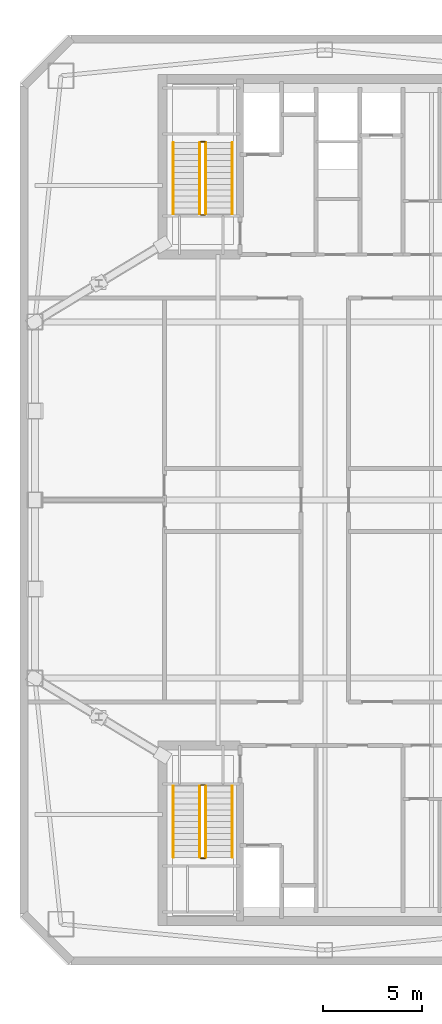
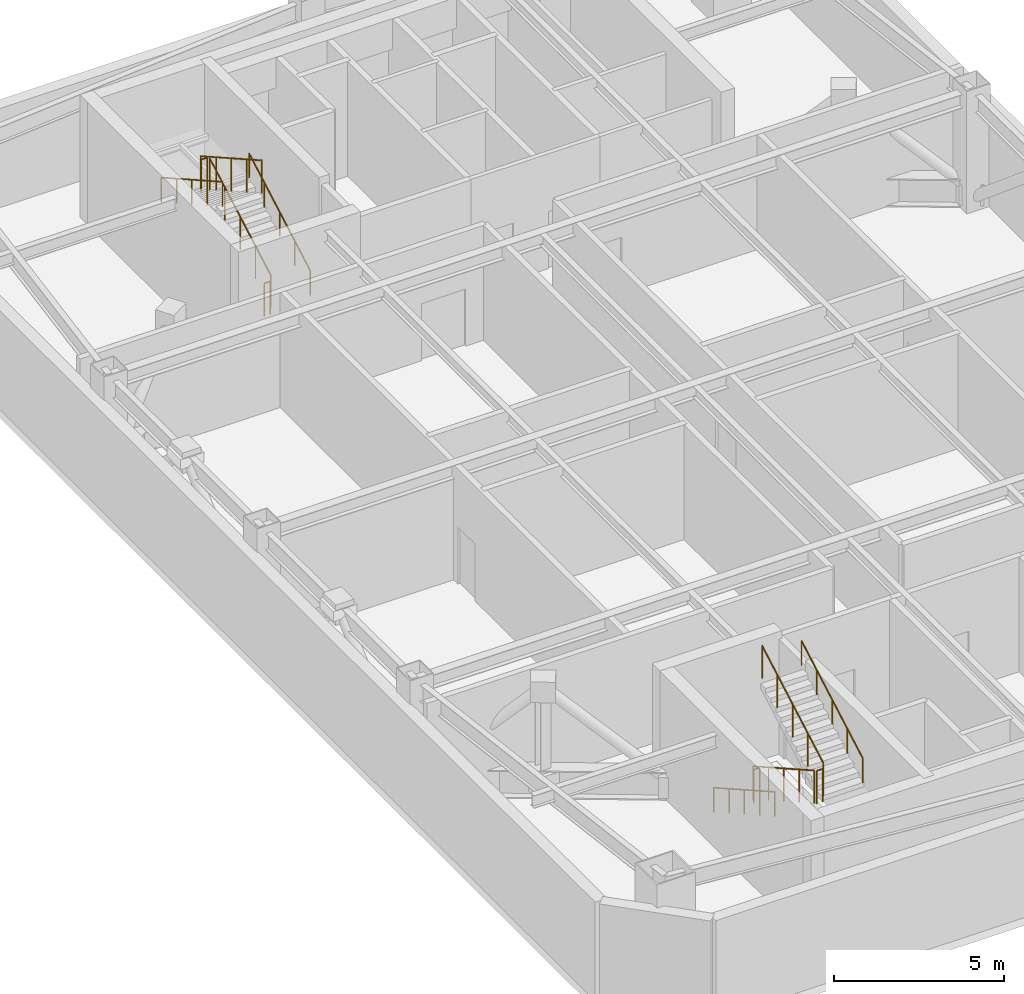
# One storey, part 16 of 17: 12 railings.
"""IFC4 building model written with IfcOpenShell, lengths in metres."""

import ifcopenshell
import ifcopenshell.guid

model = None  # the IFC model being written
_history = None  # IfcOwnerHistory: only IFC2X3 demands one
_inside = {}  # id of a spatial element -> (the spatial element, [elements in it])
_under = {}  # id of a project, library or spatial element -> (it, [spatial elements below it])
_declared = {}  # id of a project -> (the project, [libraries it declares])
_typed = {}  # id of a type object -> (the type object, [elements of that type])
_made_of = {}  # id of a material, layer set ... -> (it, [elements and type objects made of it])


def new_model(schema):
    """Start an empty IFC model of exactly this schema.

    Asked for "IFC4X3", IfcOpenShell would pick the latest addendum, in which some entities
    have other attributes; the version numbers below select the first issue.
    IFC2X3 requires an IfcOwnerHistory on every rooted entity: one is made here for all.
    """
    global model, _history
    if schema == "IFC4X3":
        model = ifcopenshell.file(schema_version=(4, 3, 0, 0))
    else:
        model = ifcopenshell.file(schema=schema)
    _inside.clear()
    _under.clear()
    _declared.clear()
    _typed.clear()
    _made_of.clear()
    _history = None
    if model.schema == "IFC2X3":
        org = make("IfcOrganization", Name="unknown")
        user = make(
            "IfcPersonAndOrganization",
            ThePerson=make("IfcPerson", FamilyName="unknown"),
            TheOrganization=org,
        )
        app = make(
            "IfcApplication",
            ApplicationDeveloper=org,
            Version="unknown",
            ApplicationFullName="unknown",
            ApplicationIdentifier="unknown",
        )
        _history = make(
            "IfcOwnerHistory",
            OwningUser=user,
            OwningApplication=app,
            ChangeAction="ADDED",
            CreationDate=0,
        )
    return model


def make(cls, **values):
    """One entity of the class cls with the attributes given. An attribute that is None is left unset."""
    return model.create_entity(
        cls, **{name: value for name, value in values.items() if value is not None}
    )


def rooted(cls, **values):
    """An entity with a GlobalId (a new one), such as an element, a storey or a relation."""
    return make(cls, GlobalId=ifcopenshell.guid.new(), OwnerHistory=_history, **values)


def si_unit(unit_type, name, prefix=None):
    """IfcSIUnit, for example si_unit("LENGTHUNIT", "METRE", prefix="MILLI")."""
    return make("IfcSIUnit", UnitType=unit_type, Prefix=prefix, Name=name)


def assignment(units):
    """IfcUnitAssignment: the units of a project."""
    return None if units is None else make("IfcUnitAssignment", Units=units)


def point(xyz):
    """IfcCartesianPoint."""
    return None if xyz is None else make("IfcCartesianPoint", Coordinates=xyz)


def direction(xyz):
    """IfcDirection."""
    return None if xyz is None else make("IfcDirection", DirectionRatios=xyz)


def frame(location, z_axis=None, x_axis=None):
    """IfcAxis2Placement3D, a coordinate frame: its origin and axes. An axis left out is left unset."""
    return make(
        "IfcAxis2Placement3D",
        Location=point(location),
        Axis=direction(z_axis),
        RefDirection=direction(x_axis),
    )


def frame_2d(location, x_axis=None):
    """IfcAxis2Placement2D, a coordinate frame in the plane: its origin and x axis."""
    return make(
        "IfcAxis2Placement2D", Location=point(location), RefDirection=direction(x_axis)
    )


def origin():
    """The frame at (0, 0, 0) with its axes left unset."""
    return frame((0.0, 0.0, 0.0))


def origin_2d():
    """The frame at (0, 0) in the plane with its x axis left unset."""
    return frame_2d((0.0, 0.0))


def place(relative_to, where):
    """IfcLocalPlacement: puts the frame where relative to a parent placement (None: the world)."""
    return make(
        "IfcLocalPlacement", PlacementRelTo=relative_to, RelativePlacement=where
    )


def context(
    kind, dimensions, precision=None, world=None, true_north=None, identifier=None
):
    """IfcGeometricRepresentationContext, for example the 3D "Model" context."""
    return make(
        "IfcGeometricRepresentationContext",
        ContextIdentifier=identifier,
        ContextType=kind,
        CoordinateSpaceDimension=dimensions,
        Precision=precision,
        WorldCoordinateSystem=world,
        TrueNorth=true_north,
    )


def subcontext(parent, identifier, kind, view, scale=None):
    """IfcGeometricRepresentationSubContext, for example "Body" below "Model"."""
    return make(
        "IfcGeometricRepresentationSubContext",
        ContextIdentifier=identifier,
        ContextType=kind,
        ParentContext=parent,
        TargetScale=scale,
        TargetView=view,
    )


def project(units=None, contexts=None):
    """IfcProject with its units and contexts."""
    return rooted(
        "IfcProject",
        Name="project",
        RepresentationContexts=contexts,
        UnitsInContext=assignment(units),
    )


def spatial(cls, under=None, at=None, **own):
    """A site, building, storey or space (cls), placed at a placement, below another one or the project."""
    s = rooted(cls, ObjectPlacement=at, **own)
    if under is not None:
        _under.setdefault(under.id(), (under, []))[1].append(s)
    return s


def profile(cls, at=None, kind="AREA", **sizes):
    """A parametric profile (cls). Its sizes go by their IFC names, for example OverallWidth=200.0."""
    return make(cls, ProfileType=kind, Position=at, **sizes)


def circle(**sizes):
    """IfcCircleProfileDef."""
    return profile("IfcCircleProfileDef", **sizes)


def extrude(swept, where, along, depth):
    """IfcExtrudedAreaSolid: the profile swept, set in the frame where, extruded along a direction by depth."""
    return make(
        "IfcExtrudedAreaSolid",
        SweptArea=swept,
        Position=where,
        ExtrudedDirection=direction(along),
        Depth=depth,
    )


def shape(context_of_items, identifier, shape_type, items):
    """IfcShapeRepresentation: the items that make up one representation, for example the "Body"."""
    return make(
        "IfcShapeRepresentation",
        ContextOfItems=context_of_items,
        RepresentationIdentifier=identifier,
        RepresentationType=shape_type,
        Items=items,
    )


def material(Name=None, Category=None):
    """IfcMaterial."""
    return make("IfcMaterial", Name=Name, Category=Category)


def made_of(thing, what):
    """Note that an element or type object is made of a material, layer set ...; save() writes the relation."""
    if what is not None:
        _made_of.setdefault(what.id(), (what, []))[1].append(thing)
    return thing


def type_object(cls, material=None, **own):
    """A type object (cls), such as IfcWallType, which elements share."""
    return made_of(rooted(cls, **own), material)


def element(
    cls,
    number,
    at=None,
    inside=None,
    cuts=None,
    type_object=None,
    material=None,
    context=None,
    identifier="Body",
    shape_type=None,
    held_by="IfcProductDefinitionShape",
    body=None,
    shapes=None,
    **own,
):
    """One element of the class cls, such as IfcWall. Its Tag is "e" and its number.

    at: its placement. inside: the storey or other place that contains it. cuts: it is an
    opening in that element (IfcRelVoidsElement). A single representation is given by context,
    identifier, shape_type and body (its items); several are given by shapes. held_by: the class
    of the entity that holds the representations. save() writes the other relations.
    """
    e = rooted(cls, Tag="e%d" % number, ObjectPlacement=at, **own)
    if body is not None:
        shapes = [shape(context, identifier, shape_type, body)]
    if shapes is not None:
        e.Representation = make(held_by, Representations=shapes)
    if inside is not None:
        _inside.setdefault(inside.id(), (inside, []))[1].append(e)
    if cuts is not None:
        rooted(
            "IfcRelVoidsElement", RelatingBuildingElement=cuts, RelatedOpeningElement=e
        )
    if type_object is not None:
        _typed.setdefault(type_object.id(), (type_object, []))[1].append(e)
    return made_of(e, material)


def aggregate(whole, parts):
    """IfcRelAggregates: a whole, such as a stair, and the parts it consists of."""
    return rooted("IfcRelAggregates", RelatingObject=whole, RelatedObjects=parts)


def save(model, path):
    """Write the relations noted so far, then the file.

    IfcRelAggregates (storeys below a building ...), IfcRelContainedInSpatialStructure (elements
    in a storey), IfcRelDefinesByType, IfcRelAssociatesMaterial and IfcRelDeclares: one each for
    every whole, place, type object, material and project.
    """
    for whole, parts in _under.values():
        aggregate(whole, parts)
    for where, things in _inside.values():
        rooted(
            "IfcRelContainedInSpatialStructure",
            RelatedElements=things,
            RelatingStructure=where,
        )
    for kind, things in _typed.values():
        rooted("IfcRelDefinesByType", RelatedObjects=things, RelatingType=kind)
    for what, things in _made_of.values():
        rooted("IfcRelAssociatesMaterial", RelatedObjects=things, RelatingMaterial=what)
    for by, libraries in _declared.values():
        rooted("IfcRelDeclares", RelatingContext=by, RelatedDefinitions=libraries)
    model.write(path)


model = new_model("IFC4")

# Units and contexts
model_context = context("Model", 3, precision=1e-05, world=origin(), true_north=direction((0.0, 1.0)))
body_context = subcontext(model_context, "Body", "Model", "MODEL_VIEW")
ifc_project = project(units=[si_unit("LENGTHUNIT", "METRE"), si_unit("AREAUNIT", "SQUARE_METRE"), si_unit("VOLUMEUNIT", "CUBIC_METRE"), si_unit("PLANEANGLEUNIT", "RADIAN"), si_unit("MASSUNIT", "GRAM", prefix="KILO")], contexts=[model_context])

# Site, building, storey
site_placement = place(None, origin())
site = spatial("IfcSite", under=ifc_project, at=site_placement, CompositionType="ELEMENT")
building_placement = place(site_placement, origin())
building = spatial("IfcBuilding", under=site, at=building_placement, Name="Qiaolan Cultural Towers", CompositionType="ELEMENT")
storey_placement = place(building_placement, frame((0.0, 0.0, 230.0)))
storey = spatial("IfcBuildingStorey", under=building, at=storey_placement, Name="L62", CompositionType="ELEMENT", Elevation=230.0)

# Railings
ifc_material_1 = material(Name="Galvanized Painted Steel Stair Guardrail", Category="steel")
railing_type_1 = type_object("IfcRailingType", Name="RL-STAIR-GRD", PredefinedType="GUARDRAIL", material=ifc_material_1)
railing_1_placement = place(storey_placement, frame((23.68994140625, 19.550048828125, 0.169189453125)))
element("IfcRailing", 1, at=railing_1_placement, inside=storey, type_object=railing_type_1, Name="L62 ST-W1 stair guard 1", PredefinedType="GUARDRAIL", context=body_context, shape_type="SweptSolid", body=[
    extrude(circle(Radius=0.02392578125, at=origin_2d()), frame((0.0, 0.0, 1.17578125), z_axis=(0.0, -0.870984948707, 0.491309697772), x_axis=(1.0, 0.0, 0.0)), (0.0, 0.0, 1.0), 4.13330078125),
    extrude(circle(Radius=0.02099609375, at=origin_2d()), origin(), (0.0, 0.0, 1.0), 1.15185546875),
    extrude(circle(Radius=0.02099609375, at=origin_2d()), frame((0.0, -0.89990234375, 0.5078125)), (0.0, 0.0, 1.0), 1.15185546875),
    extrude(circle(Radius=0.02099609375, at=origin_2d()), frame((0.0, -1.800048828125, 1.015380859375)), (0.0, 0.0, 1.0), 1.15185546875),
    extrude(circle(Radius=0.02099609375, at=origin_2d()), frame((0.0, -2.7001953125, 1.52294921875)), (0.0, 0.0, 1.0), 1.15185546875),
    extrude(circle(Radius=0.02099609375, at=origin_2d()), frame((0.0, -3.60009765625, 2.03076171875)), (0.0, 0.0, 1.0), 1.15185546875),
])
railing_2_placement = place(storey_placement, frame((23.739990234375, 15.89990234375, 2.199951171875)))
element("IfcRailing", 2, at=railing_2_placement, inside=storey, type_object=railing_type_1, Name="L62 ST-W1 stair guard 2", PredefinedType="GUARDRAIL", context=body_context, shape_type="SweptSolid", body=[
    extrude(circle(Radius=0.02392578125, at=origin_2d()), frame((0.0, 0.0, 1.17578125), z_axis=(1.0, 0.0, 0.0), x_axis=(0.0, 1.0, 0.0)), (0.0, 0.0, 1.0), 0.199951171875),
    extrude(circle(Radius=0.02099609375, at=origin_2d()), origin(), (0.0, 0.0, 1.0), 1.15185546875),
    extrude(circle(Radius=0.02099609375, at=origin_2d()), frame((0.199951171875, 0.0, 0.0)), (0.0, 0.0, 1.0), 1.15185546875),
])
railing_3_placement = place(storey_placement, frame((23.989990234375, 15.949951171875, 2.369140625)))
element("IfcRailing", 3, at=railing_3_placement, inside=storey, type_object=railing_type_1, Name="L62 ST-W1 stair guard 3", PredefinedType="GUARDRAIL", context=body_context, shape_type="SweptSolid", body=[
    extrude(circle(Radius=0.02392578125, at=origin_2d()), frame((0.0, 0.0, 1.17578125), z_axis=(0.0, 0.870984948707, 0.491309697772), x_axis=(-1.0, 0.0, 0.0)), (0.0, 0.0, 1.0), 4.13330078125),
    extrude(circle(Radius=0.02099609375, at=origin_2d()), origin(), (0.0, 0.0, 1.0), 1.15185546875),
    extrude(circle(Radius=0.02099609375, at=origin_2d()), frame((0.0, 0.89990234375, 0.5078125)), (0.0, 0.0, 1.0), 1.15185546875),
    extrude(circle(Radius=0.02099609375, at=origin_2d()), frame((0.0, 1.800048828125, 1.015380859375)), (0.0, 0.0, 1.0), 1.15185546875),
    extrude(circle(Radius=0.02099609375, at=origin_2d()), frame((0.0, 2.7001953125, 1.52294921875)), (0.0, 0.0, 1.0), 1.15185546875),
    extrude(circle(Radius=0.02099609375, at=origin_2d()), frame((0.0, 3.60009765625, 2.03076171875)), (0.0, 0.0, 1.0), 1.15185546875),
])
railing_4_placement = place(storey_placement, frame((23.739990234375, 19.60009765625, 0.0)))
element("IfcRailing", 4, at=railing_4_placement, inside=storey, type_object=railing_type_1, Name="L62 ST-W1 stair guard 4", PredefinedType="GUARDRAIL", context=body_context, shape_type="SweptSolid", body=[
    extrude(circle(Radius=0.02392578125, at=origin_2d()), frame((0.0, 0.0, 1.17578125), z_axis=(1.0, 0.0, 0.0), x_axis=(0.0, 1.0, 0.0)), (0.0, 0.0, 1.0), 0.199951171875),
    extrude(circle(Radius=0.02099609375, at=origin_2d()), origin(), (0.0, 0.0, 1.0), 1.15185546875),
    extrude(circle(Radius=0.02099609375, at=origin_2d()), frame((0.199951171875, 0.0, 0.0)), (0.0, 0.0, 1.0), 1.15185546875),
])
railing_5_placement = place(storey_placement, frame((23.989990234375, 48.449951171875, 0.169189453125)))
element("IfcRailing", 5, at=railing_5_placement, inside=storey, type_object=railing_type_1, Name="L62 ST-W2 stair guard 1", PredefinedType="GUARDRAIL", context=body_context, shape_type="SweptSolid", body=[
    extrude(circle(Radius=0.02392578125, at=origin_2d()), frame((0.0, 0.0, 1.17578125), z_axis=(0.0, 0.870984948707, 0.491309697772), x_axis=(-1.0, 0.0, 0.0)), (0.0, 0.0, 1.0), 4.13330078125),
    extrude(circle(Radius=0.02099609375, at=origin_2d()), origin(), (0.0, 0.0, 1.0), 1.15185546875),
    extrude(circle(Radius=0.02099609375, at=origin_2d()), frame((0.0, 0.89990234375, 0.5078125)), (0.0, 0.0, 1.0), 1.15185546875),
    extrude(circle(Radius=0.02099609375, at=origin_2d()), frame((0.0, 1.800048828125, 1.015380859375)), (0.0, 0.0, 1.0), 1.15185546875),
    extrude(circle(Radius=0.02099609375, at=origin_2d()), frame((0.0, 2.7001953125, 1.52294921875)), (0.0, 0.0, 1.0), 1.15185546875),
    extrude(circle(Radius=0.02099609375, at=origin_2d()), frame((0.0, 3.60009765625, 2.03076171875)), (0.0, 0.0, 1.0), 1.15185546875),
])
railing_6_placement = place(storey_placement, frame((23.93994140625, 52.10009765625, 2.199951171875)))
element("IfcRailing", 6, at=railing_6_placement, inside=storey, type_object=railing_type_1, Name="L62 ST-W2 stair guard 2", PredefinedType="GUARDRAIL", context=body_context, shape_type="SweptSolid", body=[
    extrude(circle(Radius=0.02392578125, at=origin_2d()), frame((0.0, 0.0, 1.17578125), z_axis=(-1.0, 0.0, 0.0), x_axis=(0.0, -1.0, 0.0)), (0.0, 0.0, 1.0), 0.199951171875),
    extrude(circle(Radius=0.02099609375, at=origin_2d()), origin(), (0.0, 0.0, 1.0), 1.15185546875),
    extrude(circle(Radius=0.02099609375, at=origin_2d()), frame((-0.199951171875, 0.0, 0.0)), (0.0, 0.0, 1.0), 1.15185546875),
])
railing_7_placement = place(storey_placement, frame((23.68994140625, 52.050048828125, 2.369140625)))
element("IfcRailing", 7, at=railing_7_placement, inside=storey, type_object=railing_type_1, Name="L62 ST-W2 stair guard 3", PredefinedType="GUARDRAIL", context=body_context, shape_type="SweptSolid", body=[
    extrude(circle(Radius=0.02392578125, at=origin_2d()), frame((0.0, 0.0, 1.17578125), z_axis=(0.0, -0.870984948707, 0.491309697772), x_axis=(1.0, 0.0, 0.0)), (0.0, 0.0, 1.0), 4.13330078125),
    extrude(circle(Radius=0.02099609375, at=origin_2d()), origin(), (0.0, 0.0, 1.0), 1.15185546875),
    extrude(circle(Radius=0.02099609375, at=origin_2d()), frame((0.0, -0.89990234375, 0.5078125)), (0.0, 0.0, 1.0), 1.15185546875),
    extrude(circle(Radius=0.02099609375, at=origin_2d()), frame((0.0, -1.800048828125, 1.015380859375)), (0.0, 0.0, 1.0), 1.15185546875),
    extrude(circle(Radius=0.02099609375, at=origin_2d()), frame((0.0, -2.7001953125, 1.52294921875)), (0.0, 0.0, 1.0), 1.15185546875),
    extrude(circle(Radius=0.02099609375, at=origin_2d()), frame((0.0, -3.60009765625, 2.03076171875)), (0.0, 0.0, 1.0), 1.15185546875),
])
railing_8_placement = place(storey_placement, frame((23.93994140625, 48.39990234375, 0.0)))
element("IfcRailing", 8, at=railing_8_placement, inside=storey, type_object=railing_type_1, Name="L62 ST-W2 stair guard 4", PredefinedType="GUARDRAIL", context=body_context, shape_type="SweptSolid", body=[
    extrude(circle(Radius=0.02392578125, at=origin_2d()), frame((0.0, 0.0, 1.17578125), z_axis=(-1.0, 0.0, 0.0), x_axis=(0.0, -1.0, 0.0)), (0.0, 0.0, 1.0), 0.199951171875),
    extrude(circle(Radius=0.02099609375, at=origin_2d()), origin(), (0.0, 0.0, 1.0), 1.15185546875),
    extrude(circle(Radius=0.02099609375, at=origin_2d()), frame((-0.199951171875, 0.0, 0.0)), (0.0, 0.0, 1.0), 1.15185546875),
])
ifc_material_2 = material(Name="Stainless Steel S30408 Tubular Handrail", Category="steel")
railing_type_2 = type_object("IfcRailingType", Name="RL-STAIR-HR", PredefinedType="HANDRAIL", material=ifc_material_2)
railing_9_placement = place(storey_placement, frame((22.35009765625, 19.550048828125, 0.169189453125)))
element("IfcRailing", 9, at=railing_9_placement, inside=storey, type_object=railing_type_2, Name="L62 ST-W1 stair handrail 1", PredefinedType="HANDRAIL", context=body_context, shape_type="SweptSolid", body=[
    extrude(circle(Radius=0.02392578125, at=origin_2d()), frame((0.0, 0.0, 0.8759765625), z_axis=(0.0, -0.870984948707, 0.491309697772), x_axis=(1.0, 0.0, 0.0)), (0.0, 0.0, 1.0), 4.13330078125),
    extrude(circle(Radius=0.02099609375, at=origin_2d()), origin(), (0.0, 0.0, 1.0), 0.851806640625),
    extrude(circle(Radius=0.02099609375, at=origin_2d()), frame((0.0, -0.89990234375, 0.5078125)), (0.0, 0.0, 1.0), 0.851806640625),
    extrude(circle(Radius=0.02099609375, at=origin_2d()), frame((0.0, -1.800048828125, 1.015380859375)), (0.0, 0.0, 1.0), 0.851806640625),
    extrude(circle(Radius=0.02099609375, at=origin_2d()), frame((0.0, -2.7001953125, 1.52294921875)), (0.0, 0.0, 1.0), 0.851806640625),
    extrude(circle(Radius=0.02099609375, at=origin_2d()), frame((0.0, -3.60009765625, 2.03076171875)), (0.0, 0.0, 1.0), 0.851806640625),
])
for number, where, name in (
    (10, (25.330078125, 15.949951171875, 2.369140625), "L62 ST-W1 stair handrail 2"),
    (11, (25.330078125, 48.449951171875, 0.169189453125), "L62 ST-W2 stair handrail 1"),
):
    element("IfcRailing", number, at=place(storey_placement, frame(where)), inside=storey, type_object=railing_type_2, Name=name, PredefinedType="HANDRAIL", context=body_context, shape_type="SweptSolid", body=[
        extrude(circle(Radius=0.02392578125, at=origin_2d()), frame((0.0, 0.0, 0.8759765625), z_axis=(0.0, 0.870984948707, 0.491309697772), x_axis=(-1.0, 0.0, 0.0)), (0.0, 0.0, 1.0), 4.13330078125),
        extrude(circle(Radius=0.02099609375, at=origin_2d()), origin(), (0.0, 0.0, 1.0), 0.851806640625),
        extrude(circle(Radius=0.02099609375, at=origin_2d()), frame((0.0, 0.89990234375, 0.5078125)), (0.0, 0.0, 1.0), 0.851806640625),
        extrude(circle(Radius=0.02099609375, at=origin_2d()), frame((0.0, 1.800048828125, 1.015380859375)), (0.0, 0.0, 1.0), 0.851806640625),
        extrude(circle(Radius=0.02099609375, at=origin_2d()), frame((0.0, 2.7001953125, 1.52294921875)), (0.0, 0.0, 1.0), 0.851806640625),
        extrude(circle(Radius=0.02099609375, at=origin_2d()), frame((0.0, 3.60009765625, 2.03076171875)), (0.0, 0.0, 1.0), 0.851806640625),
    ])
railing_10_placement = place(storey_placement, frame((22.35009765625, 52.050048828125, 2.369140625)))
element("IfcRailing", 12, at=railing_10_placement, inside=storey, type_object=railing_type_2, Name="L62 ST-W2 stair handrail 2", PredefinedType="HANDRAIL", context=body_context, shape_type="SweptSolid", body=[
    extrude(circle(Radius=0.02392578125, at=origin_2d()), frame((0.0, 0.0, 0.8759765625), z_axis=(0.0, -0.870984948707, 0.491309697772), x_axis=(1.0, 0.0, 0.0)), (0.0, 0.0, 1.0), 4.13330078125),
    extrude(circle(Radius=0.02099609375, at=origin_2d()), origin(), (0.0, 0.0, 1.0), 0.851806640625),
    extrude(circle(Radius=0.02099609375, at=origin_2d()), frame((0.0, -0.89990234375, 0.5078125)), (0.0, 0.0, 1.0), 0.851806640625),
    extrude(circle(Radius=0.02099609375, at=origin_2d()), frame((0.0, -1.800048828125, 1.015380859375)), (0.0, 0.0, 1.0), 0.851806640625),
    extrude(circle(Radius=0.02099609375, at=origin_2d()), frame((0.0, -2.7001953125, 1.52294921875)), (0.0, 0.0, 1.0), 0.851806640625),
    extrude(circle(Radius=0.02099609375, at=origin_2d()), frame((0.0, -3.60009765625, 2.03076171875)), (0.0, 0.0, 1.0), 0.851806640625),
])

save(model, "model.ifc")
